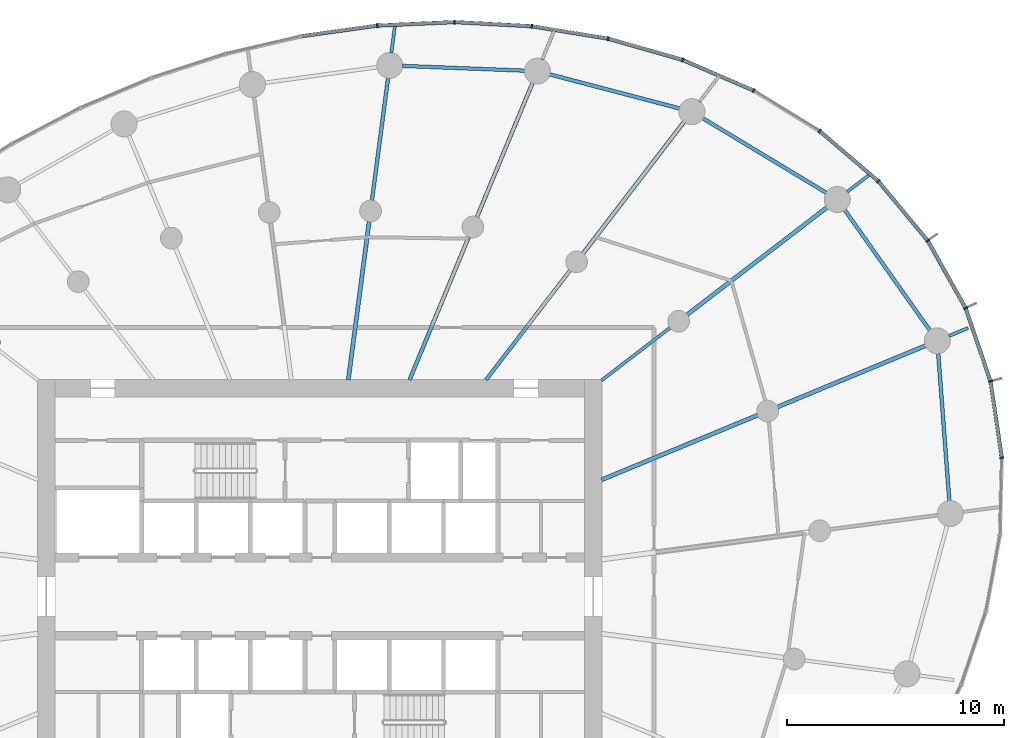
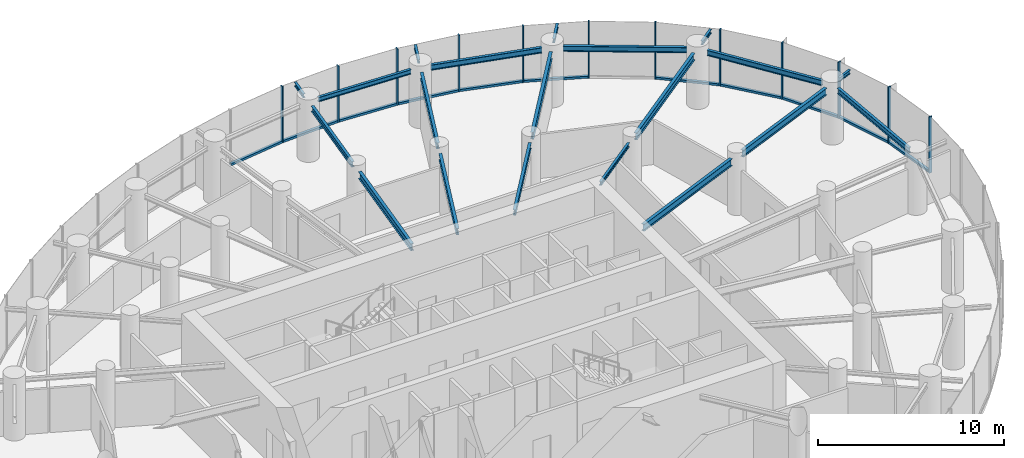
# One storey, part 7 of 17: 23 members, 20 beams, 3 elements without a shape of their own.
"""IFC4 building model written with IfcOpenShell, lengths in metres."""

from ifc_helpers import new_model, si_unit, direction, frame, origin, origin_2d, place, context, subcontext, project, spatial, rectangle, i_section, extrude, source, transform, mapped, material, layer, layer_set, material_profile, profile_set, type_object, element, aggregate, save


model = new_model("IFC4")

# Units and contexts
model_context = context("Model", 3, precision=1e-05, world=origin(), true_north=direction((0.0, 1.0)))
body_context = subcontext(model_context, "Body", "Model", "MODEL_VIEW")
ifc_project = project(units=[si_unit("LENGTHUNIT", "METRE"), si_unit("AREAUNIT", "SQUARE_METRE"), si_unit("VOLUMEUNIT", "CUBIC_METRE"), si_unit("PLANEANGLEUNIT", "RADIAN"), si_unit("MASSUNIT", "GRAM", prefix="KILO")], contexts=[model_context])

# Site, building, storey
site_placement = place(None, origin())
site = spatial("IfcSite", under=ifc_project, at=site_placement, CompositionType="ELEMENT")
building_placement = place(site_placement, origin())
building = spatial("IfcBuilding", under=site, at=building_placement, Name="Spindrift Exchange Tower", CompositionType="ELEMENT")
storey_placement = place(building_placement, frame((0.0, 0.0, 92.10009765625)))
storey = spatial("IfcBuildingStorey", under=building, at=storey_placement, Name="L21", CompositionType="ELEMENT", Elevation=92.10009765625)

# Beams
ifc_material_1 = material(Name="Steel Grade 300", Category="steel")
ifc_material_profile_1 = material_profile(ifc_material_1, i_section(OverallWidth=0.18994140625, OverallDepth=0.45703125, WebThickness=0.009033203125, FlangeThickness=0.014404296875, FilletRadius=0.013916015625, at=origin_2d()), Name="460UB74.6")
ifc_profile_set_1 = profile_set([ifc_material_profile_1], Name="Steel Grade 300")
beam_type_1 = type_object("IfcBeamType", Name="Floor Beam 460UB74.6 Steel Grade 300", PredefinedType="BEAM", material=ifc_profile_set_1)
shared_shape_1 = source(origin(), body_context, "Body", "SweptSolid", [
    extrude(i_section(OverallWidth=0.18994140625, OverallDepth=0.45703125, WebThickness=0.009033203125, FlangeThickness=0.014404296875, FilletRadius=0.013916015625, at=origin_2d()), origin(), (0.0, 0.0, 1.0), 7.808837890625),
])
beam_1_placement = place(storey_placement, frame((64.9814453125, 53.377197265625, 3.471435546875), z_axis=(0.92387965154, 0.382683145003, 0.0), x_axis=(-0.382683145003, 0.92387965154, 0.0)))
element("IfcBeam", 1, at=beam_1_placement, inside=storey, type_object=beam_type_1, Name="L21 radial beam R02A", PredefinedType="BEAM", context=body_context, shape_type="MappedRepresentation", body=[
    mapped(shared_shape_1, transform((0.0, 0.0, 0.0), scale=1.0)),
])
ifc_material_profile_2 = material_profile(ifc_material_1, i_section(OverallWidth=0.14599609375, OverallDepth=0.251953125, WebThickness=0.006103515625, FlangeThickness=0.008544921875, FilletRadius=0.011962890625, at=origin_2d()), Name="250UB31.4")
ifc_profile_set_2 = profile_set([ifc_material_profile_2], Name="Steel Grade 300")
beam_type_2 = type_object("IfcBeamType", Name="Floor Beam 250UB31.4 Steel Grade 300", PredefinedType="BEAM", material=ifc_profile_set_2)
shared_shape_2 = source(origin(), body_context, "Body", "SweptSolid", [
    extrude(i_section(OverallWidth=0.14599609375, OverallDepth=0.251953125, WebThickness=0.006103515625, FlangeThickness=0.008544921875, FilletRadius=0.011962890625, at=origin_2d()), origin(), (0.0, 0.0, 1.0), 3.99560546875),
])
beam_2_placement = place(storey_placement, frame((64.984130859375, 57.963134765625, 3.573974609375), z_axis=(0.793352561574, 0.608762443851, 0.0), x_axis=(-0.608762443851, 0.793352561574, 0.0)))
element("IfcBeam", 2, at=beam_2_placement, inside=storey, type_object=beam_type_2, Name="L21 radial beam R03A", PredefinedType="BEAM", context=body_context, shape_type="MappedRepresentation", body=[
    mapped(shared_shape_2, transform((0.0, 0.0, 0.0), scale=1.0)),
])
ifc_material_profile_3 = material_profile(ifc_material_1, i_section(OverallWidth=0.172119140625, OverallDepth=0.35888671875, WebThickness=0.008056640625, FlangeThickness=0.012939453125, FilletRadius=0.013916015625, at=origin_2d()), Name="360UB56.7")
ifc_profile_set_3 = profile_set([ifc_material_profile_3], Name="Steel Grade 300")
beam_type_3 = type_object("IfcBeamType", Name="Floor Beam 360UB56.7 Steel Grade 300", PredefinedType="BEAM", material=ifc_profile_set_3)
shared_shape_3 = source(origin(), body_context, "Body", "SweptSolid", [
    extrude(i_section(OverallWidth=0.172119140625, OverallDepth=0.35888671875, WebThickness=0.008056640625, FlangeThickness=0.012939453125, FilletRadius=0.013916015625, at=origin_2d()), origin(), (0.0, 0.0, 1.0), 6.37646484375),
])
beam_3_placement = place(storey_placement, frame((59.6611328125, 57.984130859375, 3.5205078125), z_axis=(0.608766669952, 0.793349318747, 0.0), x_axis=(-0.793349318747, 0.608766669952, 0.0)))
element("IfcBeam", 3, at=beam_3_placement, inside=storey, type_object=beam_type_3, Name="L21 radial beam R04A", PredefinedType="BEAM", context=body_context, shape_type="MappedRepresentation", body=[
    mapped(shared_shape_3, transform((0.0, 0.0, 0.0), scale=1.0)),
])
ifc_material_profile_4 = material_profile(ifc_material_1, i_section(OverallWidth=0.177978515625, OverallDepth=0.406005859375, WebThickness=0.0078125, FlangeThickness=0.0126953125, FilletRadius=0.013916015625, at=origin_2d()), Name="410UB59.7")
ifc_profile_set_4 = profile_set([ifc_material_profile_4], Name="Steel Grade 300")
beam_type_4 = type_object("IfcBeamType", Name="Floor Beam 410UB59.7 Steel Grade 300", PredefinedType="BEAM", material=ifc_profile_set_4)
shared_shape_4 = source(origin(), body_context, "Body", "SweptSolid", [
    extrude(i_section(OverallWidth=0.177978515625, OverallDepth=0.406005859375, WebThickness=0.0078125, FlangeThickness=0.0126953125, FilletRadius=0.013916015625, at=origin_2d()), origin(), (0.0, 0.0, 1.0), 7.150634765625),
])
beam_4_placement = place(storey_placement, frame((56.134521484375, 57.9814453125, 3.496826171875), z_axis=(0.382665393358, 0.923887004306, 0.0), x_axis=(-0.923887004306, 0.382665393358, 0.0)))
element("IfcBeam", 4, at=beam_4_placement, inside=storey, type_object=beam_type_4, Name="L21 radial beam R05A", PredefinedType="BEAM", context=body_context, shape_type="MappedRepresentation", body=[
    mapped(shared_shape_4, transform((0.0, 0.0, 0.0), scale=1.0)),
])
shared_shape_5 = source(origin(), body_context, "Body", "SweptSolid", [
    extrude(i_section(OverallWidth=0.18994140625, OverallDepth=0.45703125, WebThickness=0.009033203125, FlangeThickness=0.014404296875, FilletRadius=0.013916015625, at=origin_2d()), origin(), (0.0, 0.0, 1.0), 7.374267578125),
])
beam_5_placement = place(storey_placement, frame((53.31396484375, 57.980224609375, 3.471435546875), z_axis=(0.130539295622, 0.99144313619, 0.0), x_axis=(-0.99144313619, 0.130539295622, 0.0)))
element("IfcBeam", 5, at=beam_5_placement, inside=storey, type_object=beam_type_1, Name="L21 radial beam R06A", PredefinedType="BEAM", context=body_context, shape_type="MappedRepresentation", body=[
    mapped(shared_shape_5, transform((0.0, 0.0, 0.0), scale=1.0)),
])
shared_shape_6 = source(origin(), body_context, "Body", "SweptSolid", [
    extrude(i_section(OverallWidth=0.18994140625, OverallDepth=0.45703125, WebThickness=0.009033203125, FlangeThickness=0.014404296875, FilletRadius=0.013916015625, at=origin_2d()), origin(), (0.0, 0.0, 1.0), 7.400146484375),
])
beam_6_placement = place(storey_placement, frame((73.082763671875, 56.73291015625, 3.471435546875), z_axis=(0.923886957755, 0.382665505749, 0.0), x_axis=(-0.382665505749, 0.923886957755, 0.0)))
element("IfcBeam", 6, at=beam_6_placement, inside=storey, type_object=beam_type_1, Name="L21 radial beam R02B", PredefinedType="BEAM", context=body_context, shape_type="MappedRepresentation", body=[
    mapped(shared_shape_6, transform((0.0, 0.0, 0.0), scale=1.0)),
])
shared_shape_7 = source(origin(), body_context, "Body", "SweptSolid", [
    extrude(i_section(OverallWidth=0.18994140625, OverallDepth=0.45703125, WebThickness=0.009033203125, FlangeThickness=0.014404296875, FilletRadius=0.013916015625, at=origin_2d()), origin(), (0.0, 0.0, 1.0), 8.158447265625),
])
beam_7_placement = place(storey_placement, frame((68.91552734375, 60.979736328125, 3.471435546875), z_axis=(0.793358732539, 0.608754401631, 0.0), x_axis=(-0.608754401631, 0.793358732539, 0.0)))
element("IfcBeam", 7, at=beam_7_placement, inside=storey, type_object=beam_type_1, Name="L21 radial beam R03B", PredefinedType="BEAM", context=body_context, shape_type="MappedRepresentation", body=[
    mapped(shared_shape_7, transform((0.0, 0.0, 0.0), scale=1.0)),
])
shared_shape_8 = source(origin(), body_context, "Body", "SweptSolid", [
    extrude(i_section(OverallWidth=0.18994140625, OverallDepth=0.45703125, WebThickness=0.009033203125, FlangeThickness=0.014404296875, FilletRadius=0.013916015625, at=origin_2d()), origin(), (0.0, 0.0, 1.0), 7.663818359375),
])
beam_8_placement = place(storey_placement, frame((64.127197265625, 63.8046875, 3.471435546875), z_axis=(0.608771227503, 0.793345821546, 0.0), x_axis=(-0.793345821546, 0.608771227503, 0.0)))
element("IfcBeam", 8, at=beam_8_placement, inside=storey, type_object=beam_type_1, Name="L21 radial beam R04B", PredefinedType="BEAM", context=body_context, shape_type="MappedRepresentation", body=[
    mapped(shared_shape_8, transform((0.0, 0.0, 0.0), scale=1.0)),
])
shared_shape_9 = source(origin(), body_context, "Body", "SweptSolid", [
    extrude(i_section(OverallWidth=0.177978515625, OverallDepth=0.406005859375, WebThickness=0.0078125, FlangeThickness=0.0126953125, FilletRadius=0.013916015625, at=origin_2d()), origin(), (0.0, 0.0, 1.0), 6.71240234375),
])
beam_9_placement = place(storey_placement, frame((59.23828125, 65.474853515625, 3.496826171875), z_axis=(0.382669812754, 0.923885173821, 0.0), x_axis=(-0.923885173821, 0.382669812754, 0.0)))
element("IfcBeam", 9, at=beam_9_placement, inside=storey, type_object=beam_type_4, Name="L21 radial beam R05B", PredefinedType="BEAM", context=body_context, shape_type="MappedRepresentation", body=[
    mapped(shared_shape_9, transform((0.0, 0.0, 0.0), scale=1.0)),
])
shared_shape_10 = source(origin(), body_context, "Body", "SweptSolid", [
    extrude(i_section(OverallWidth=0.172119140625, OverallDepth=0.35888671875, WebThickness=0.008056640625, FlangeThickness=0.012939453125, FilletRadius=0.013916015625, at=origin_2d()), origin(), (0.0, 0.0, 1.0), 5.70751953125),
])
beam_10_placement = place(storey_placement, frame((54.40185546875, 66.2431640625, 3.5205078125), z_axis=(0.130507624881, 0.991447305634, 0.0), x_axis=(-0.991447305634, 0.130507624881, 0.0)))
element("IfcBeam", 10, at=beam_10_placement, inside=storey, type_object=beam_type_3, Name="L21 radial beam R06B", PredefinedType="BEAM", context=body_context, shape_type="MappedRepresentation", body=[
    mapped(shared_shape_10, transform((0.0, 0.0, 0.0), scale=1.0)),
])
ifc_material_profile_5 = material_profile(ifc_material_1, i_section(OverallWidth=0.172119140625, OverallDepth=0.35888671875, WebThickness=0.008056640625, FlangeThickness=0.012939453125, FilletRadius=0.013916015625, at=origin_2d()), Name="360UB56.7")
ifc_profile_set_5 = profile_set([ifc_material_profile_5], Name="Steel Grade 300")
beam_type_5 = type_object("IfcBeamType", Name="Edge Beam 360UB56.7 Steel Grade 300", PredefinedType="SPANDREL", material=ifc_profile_set_5)
shared_shape_11 = source(origin(), body_context, "Body", "SweptSolid", [
    extrude(i_section(OverallWidth=0.172119140625, OverallDepth=0.35888671875, WebThickness=0.008056640625, FlangeThickness=0.012939453125, FilletRadius=0.013916015625, at=origin_2d()), origin(), (0.0, 0.0, 1.0), 6.82373046875),
])
beam_11_placement = place(storey_placement, frame((81.0126953125, 52.40380859375, 3.5205078125), z_axis=(-0.075276463877, 0.997162701863, 0.0), x_axis=(-0.997162701863, -0.075276463877, 0.0)))
element("IfcBeam", 11, at=beam_11_placement, inside=storey, type_object=beam_type_5, Name="L21 edge beam E01", PredefinedType="SPANDREL", context=body_context, shape_type="MappedRepresentation", body=[
    mapped(shared_shape_11, transform((0.0, 0.0, 0.0), scale=1.0)),
])
shared_shape_12 = source(origin(), body_context, "Body", "SweptSolid", [
    extrude(i_section(OverallWidth=0.172119140625, OverallDepth=0.35888671875, WebThickness=0.008056640625, FlangeThickness=0.012939453125, FilletRadius=0.013916015625, at=origin_2d()), origin(), (0.0, 0.0, 1.0), 6.81787109375),
])
beam_12_placement = place(storey_placement, frame((80.12060546875, 60.260009765625, 3.5205078125), z_axis=(-0.577526426198, 0.816371990604, 0.0), x_axis=(-0.816371990604, -0.577526426198, 0.0)))
element("IfcBeam", 12, at=beam_12_placement, inside=storey, type_object=beam_type_5, Name="L21 edge beam E02", PredefinedType="SPANDREL", context=body_context, shape_type="MappedRepresentation", body=[
    mapped(shared_shape_12, transform((0.0, 0.0, 0.0), scale=1.0)),
])
shared_shape_13 = source(origin(), body_context, "Body", "SweptSolid", [
    extrude(i_section(OverallWidth=0.172119140625, OverallDepth=0.35888671875, WebThickness=0.008056640625, FlangeThickness=0.012939453125, FilletRadius=0.013916015625, at=origin_2d()), origin(), (0.0, 0.0, 1.0), 6.668701171875),
])
beam_13_placement = place(storey_placement, frame((75.3515625, 66.59912109375, 3.5205078125), z_axis=(-0.856133207479, 0.516755194508, 0.0), x_axis=(-0.516755194508, -0.856133207479, 0.0)))
element("IfcBeam", 13, at=beam_13_placement, inside=storey, type_object=beam_type_5, Name="L21 edge beam E03", PredefinedType="SPANDREL", context=body_context, shape_type="MappedRepresentation", body=[
    mapped(shared_shape_13, transform((0.0, 0.0, 0.0), scale=1.0)),
])
shared_shape_14 = source(origin(), body_context, "Body", "SweptSolid", [
    extrude(i_section(OverallWidth=0.172119140625, OverallDepth=0.35888671875, WebThickness=0.008056640625, FlangeThickness=0.012939453125, FilletRadius=0.013916015625, at=origin_2d()), origin(), (0.0, 0.0, 1.0), 6.197509765625),
])
beam_14_placement = place(storey_placement, frame((68.584716796875, 70.491943359375, 3.5205078125), z_axis=(-0.967254420813, 0.253808757567, 0.0), x_axis=(-0.253808757567, -0.967254420813, 0.0)))
element("IfcBeam", 14, at=beam_14_placement, inside=storey, type_object=beam_type_5, Name="L21 edge beam E04", PredefinedType="SPANDREL", context=body_context, shape_type="MappedRepresentation", body=[
    mapped(shared_shape_14, transform((0.0, 0.0, 0.0), scale=1.0)),
])
ifc_material_profile_6 = material_profile(ifc_material_1, i_section(OverallWidth=0.1650390625, OverallDepth=0.303955078125, WebThickness=0.006103515625, FlangeThickness=0.01025390625, FilletRadius=0.011474609375, at=origin_2d()), Name="310UB40.4")
ifc_profile_set_6 = profile_set([ifc_material_profile_6], Name="Steel Grade 300")
beam_type_6 = type_object("IfcBeamType", Name="Edge Beam 310UB40.4 Steel Grade 300", PredefinedType="SPANDREL", material=ifc_profile_set_6)
shared_shape_15 = source(origin(), body_context, "Body", "SweptSolid", [
    extrude(i_section(OverallWidth=0.1650390625, OverallDepth=0.303955078125, WebThickness=0.006103515625, FlangeThickness=0.01025390625, FilletRadius=0.011474609375, at=origin_2d()), origin(), (0.0, 0.0, 1.0), 5.65185546875),
])
beam_15_placement = place(storey_placement, frame((61.449462890625, 72.234619140625, 3.5478515625), z_axis=(-0.99924397539, 0.038877726865, 0.0), x_axis=(-0.038877726865, -0.99924397539, 0.0)))
element("IfcBeam", 15, at=beam_15_placement, inside=storey, type_object=beam_type_6, Name="L21 edge beam E05", PredefinedType="SPANDREL", context=body_context, shape_type="MappedRepresentation", body=[
    mapped(shared_shape_15, transform((0.0, 0.0, 0.0), scale=1.0)),
])
ifc_material_profile_7 = material_profile(ifc_material_1, i_section(OverallWidth=0.14599609375, OverallDepth=0.251953125, WebThickness=0.006103515625, FlangeThickness=0.008544921875, FilletRadius=0.011962890625, at=origin_2d()), Name="250UB31.4")
ifc_profile_set_7 = profile_set([ifc_material_profile_7], Name="Steel Grade 300")
beam_type_7 = type_object("IfcBeamType", Name="Cantilever Beam 250UB31.4 Steel Grade 300", PredefinedType="BEAM", material=ifc_profile_set_7)
shared_shape_16 = source(origin(), body_context, "Body", "SweptSolid", [
    extrude(i_section(OverallWidth=0.14599609375, OverallDepth=0.251953125, WebThickness=0.006103515625, FlangeThickness=0.008544921875, FilletRadius=0.011962890625, at=origin_2d()), origin(), (0.0, 0.0, 1.0), 0.95751953125),
])
beam_16_placement = place(storey_placement, frame((80.9912109375, 60.008544921875, 3.573974609375), z_axis=(0.923852099304, 0.382749655273, 0.0), x_axis=(-0.382749655273, 0.923852099304, 0.0)))
element("IfcBeam", 16, at=beam_16_placement, inside=storey, type_object=beam_type_7, Name="L21 cantilever beam R02T", PredefinedType="BEAM", context=body_context, shape_type="MappedRepresentation", body=[
    mapped(shared_shape_16, transform((0.0, 0.0, 0.0), scale=1.0)),
])
shared_shape_17 = source(origin(), body_context, "Body", "SweptSolid", [
    extrude(i_section(OverallWidth=0.14599609375, OverallDepth=0.251953125, WebThickness=0.006103515625, FlangeThickness=0.008544921875, FilletRadius=0.011962890625, at=origin_2d()), origin(), (0.0, 0.0, 1.0), 1.243896484375),
])
beam_17_placement = place(storey_placement, frame((76.308349609375, 66.652587890625, 3.573974609375), z_axis=(0.793404120927, 0.60869524468, 0.0), x_axis=(-0.60869524468, 0.793404120927, 0.0)))
element("IfcBeam", 17, at=beam_17_placement, inside=storey, type_object=beam_type_7, Name="L21 cantilever beam R03T", PredefinedType="BEAM", context=body_context, shape_type="MappedRepresentation", body=[
    mapped(shared_shape_17, transform((0.0, 0.0, 0.0), scale=1.0)),
])
shared_shape_18 = source(origin(), body_context, "Body", "SweptSolid", [
    extrude(i_section(OverallWidth=0.14599609375, OverallDepth=0.251953125, WebThickness=0.006103515625, FlangeThickness=0.008544921875, FilletRadius=0.011962890625, at=origin_2d()), origin(), (0.0, 0.0, 1.0), 1.513916015625),
])
beam_18_placement = place(storey_placement, frame((69.498779296875, 70.804931640625, 3.573974609375), z_axis=(0.60873617864, 0.793372714942, 0.0), x_axis=(-0.793372714942, 0.60873617864, 0.0)))
element("IfcBeam", 18, at=beam_18_placement, inside=storey, type_object=beam_type_7, Name="L21 cantilever beam R04T", PredefinedType="BEAM", context=body_context, shape_type="MappedRepresentation", body=[
    mapped(shared_shape_18, transform((0.0, 0.0, 0.0), scale=1.0)),
])
shared_shape_19 = source(origin(), body_context, "Body", "SweptSolid", [
    extrude(i_section(OverallWidth=0.14599609375, OverallDepth=0.251953125, WebThickness=0.006103515625, FlangeThickness=0.008544921875, FilletRadius=0.011962890625, at=origin_2d()), origin(), (0.0, 0.0, 1.0), 1.463623046875),
])
beam_19_placement = place(storey_placement, frame((62.2509765625, 72.748046875, 3.573974609375), z_axis=(0.382636602679, 0.923898928612, 0.0), x_axis=(-0.923898928612, 0.382636602679, 0.0)))
element("IfcBeam", 19, at=beam_19_placement, inside=storey, type_object=beam_type_7, Name="L21 cantilever beam R05T", PredefinedType="BEAM", context=body_context, shape_type="MappedRepresentation", body=[
    mapped(shared_shape_19, transform((0.0, 0.0, 0.0), scale=1.0)),
])
shared_shape_20 = source(origin(), body_context, "Body", "SweptSolid", [
    extrude(i_section(OverallWidth=0.14599609375, OverallDepth=0.251953125, WebThickness=0.006103515625, FlangeThickness=0.008544921875, FilletRadius=0.011962890625, at=origin_2d()), origin(), (0.0, 0.0, 1.0), 1.239501953125),
])
beam_20_placement = place(storey_placement, frame((55.298095703125, 73.0517578125, 3.573974609375), z_axis=(0.130576783147, 0.991438199639, 0.0), x_axis=(-0.991438199639, 0.130576783147, 0.0)))
element("IfcBeam", 20, at=beam_20_placement, inside=storey, type_object=beam_type_7, Name="L21 cantilever beam R06T", PredefinedType="BEAM", context=body_context, shape_type="MappedRepresentation", body=[
    mapped(shared_shape_20, transform((0.0, 0.0, 0.0), scale=1.0)),
])

# Curtain wall, members
ifc_material_2 = material(Name="Fritted laminated glass with bronze frame", Category="glass")
ifc_layer = layer(ifc_material_2, 0.18994140625)
ifc_layer_set = layer_set([ifc_layer], Name="ZONE 2 BRONZE FRITTED WALL")
curtain_wall_type = type_object("IfcCurtainWallType", Name="ZONE 2 BRONZE FRITTED WALL", PredefinedType="NOTDEFINED", material=ifc_layer_set)
curtain_wall_1_placement = place(storey_placement, origin())
curtain_wall_1 = element("IfcCurtainWall", 21, at=curtain_wall_1_placement, inside=storey, type_object=curtain_wall_type, Name="L21 Zone 2 Bronze Fritted Wall run 1", PredefinedType="NOTDEFINED")
ifc_material_3 = material(Name="Bronze anodised aluminium", Category="aluminium")
ifc_material_profile_8 = material_profile(ifc_material_3, rectangle(XDim=0.074951171875, YDim=0.18994140625, at=origin_2d()), Name="ZONE 2 BRONZE FRITTED WALL MULLION 75X190")
ifc_profile_set_8 = profile_set([ifc_material_profile_8], Name="Bronze anodised aluminium")
member_type_1 = type_object("IfcMemberType", Name="ZONE 2 BRONZE FRITTED WALL MULLION 75X190", PredefinedType="MULLION", material=ifc_profile_set_8)
shared_shape_21 = source(origin(), body_context, "Body", "SweptSolid", [
    extrude(rectangle(XDim=0.074951171875, YDim=0.18994140625, at=origin_2d()), origin(), (0.0, 0.0, 1.0), 3.699951171875),
])
member_1_placement = place(storey_placement, frame((81.76318359375, 61.294677734375, 0.0), z_axis=(0.0, 0.0, 1.0), x_axis=(-0.407851050657, 0.913048476521, 0.0)))
member_1 = element("IfcMember", 22, at=member_1_placement, type_object=member_type_1, Name="L21 mullion CW-2.1", PredefinedType="MULLION", context=body_context, shape_type="MappedRepresentation", body=[
    mapped(shared_shape_21, transform((0.0, 0.0, 0.0), scale=1.0)),
])
member_2_placement = place(storey_placement, frame((80.016845703125, 64.400146484375, 0.0), z_axis=(0.0, 0.0, 1.0), x_axis=(-0.566776473691, 0.823871609458, 0.0)))
member_2 = element("IfcMember", 23, at=member_2_placement, type_object=member_type_1, Name="L21 mullion CW-2.2", PredefinedType="MULLION", context=body_context, shape_type="MappedRepresentation", body=[
    mapped(shared_shape_21, transform((0.0, 0.0, 0.0), scale=1.0)),
])
member_3_placement = place(storey_placement, frame((77.740966796875, 67.1416015625, 0.0), z_axis=(0.0, 0.0, 1.0), x_axis=(-0.702062440454, 0.712115390722, 0.0)))
member_3 = element("IfcMember", 24, at=member_3_placement, type_object=member_type_1, Name="L21 mullion CW-2.3", PredefinedType="MULLION", context=body_context, shape_type="MappedRepresentation", body=[
    mapped(shared_shape_21, transform((0.0, 0.0, 0.0), scale=1.0)),
])
member_4_placement = place(storey_placement, frame((75.031494140625, 69.456787109375, 0.0), z_axis=(0.0, 0.0, 1.0), x_axis=(-0.808911264891, 0.587930748926, 0.0)))
member_4 = element("IfcMember", 25, at=member_4_placement, type_object=member_type_1, Name="L21 mullion CW-2.4", PredefinedType="MULLION", context=body_context, shape_type="MappedRepresentation", body=[
    mapped(shared_shape_21, transform((0.0, 0.0, 0.0), scale=1.0)),
])
member_5_placement = place(storey_placement, frame((71.99267578125, 71.3193359375, 0.0), z_axis=(0.0, 0.0, 1.0), x_axis=(-0.887668438037, 0.460483163767, 0.0)))
member_5 = element("IfcMember", 26, at=member_5_placement, type_object=member_type_1, Name="L21 mullion CW-2.5", PredefinedType="MULLION", context=body_context, shape_type="MappedRepresentation", body=[
    mapped(shared_shape_21, transform((0.0, 0.0, 0.0), scale=1.0)),
])
member_6_placement = place(storey_placement, frame((68.718994140625, 72.731201171875, 0.0), z_axis=(0.0, 0.0, 1.0), x_axis=(-0.941842966685, 0.336053308428, 0.0)))
member_6 = element("IfcMember", 27, at=member_6_placement, type_object=member_type_1, Name="L21 mullion CW-2.6", PredefinedType="MULLION", context=body_context, shape_type="MappedRepresentation", body=[
    mapped(shared_shape_21, transform((0.0, 0.0, 0.0), scale=1.0)),
])

curtain_wall_2_placement = place(storey_placement, origin())
curtain_wall_2 = element("IfcCurtainWall", 28, at=curtain_wall_2_placement, inside=storey, type_object=curtain_wall_type, Name="L21 Zone 2 Bronze Fritted Wall run 2", PredefinedType="NOTDEFINED")
member_7_placement = place(storey_placement, frame((65.290771484375, 73.710693359375, 0.0), z_axis=(0.0, 0.0, 1.0), x_axis=(-0.975965603931, 0.217924619867, 0.0)))
member_7 = element("IfcMember", 29, at=member_7_placement, type_object=member_type_1, Name="L21 mullion CW-2.7", PredefinedType="MULLION", context=body_context, shape_type="MappedRepresentation", body=[
    mapped(shared_shape_21, transform((0.0, 0.0, 0.0), scale=1.0)),
])
member_8_placement = place(storey_placement, frame((61.77099609375, 74.28271484375, 0.0), z_axis=(0.0, 0.0, 1.0), x_axis=(-0.994227525219, 0.107292255532, 0.0)))
member_8 = element("IfcMember", 30, at=member_8_placement, type_object=member_type_1, Name="L21 mullion CW-2.8", PredefinedType="MULLION", context=body_context, shape_type="MappedRepresentation", body=[
    mapped(shared_shape_21, transform((0.0, 0.0, 0.0), scale=1.0)),
])
member_9_placement = place(storey_placement, frame((58.210205078125, 74.474609375, 0.0), z_axis=(0.0, 0.0, 1.0), x_axis=(-0.999991419034, 0.004142687404, 0.0)))
member_9 = element("IfcMember", 31, at=member_9_placement, type_object=member_type_1, Name="L21 mullion CW-2.9", PredefinedType="MULLION", context=body_context, shape_type="MappedRepresentation", body=[
    mapped(shared_shape_21, transform((0.0, 0.0, 0.0), scale=1.0)),
])
member_10_placement = place(storey_placement, frame((54.6474609375, 74.312255859375, 0.0), z_axis=(0.0, 0.0, 1.0), x_axis=(-0.995742366354, -0.092179931912, 0.0)))
member_10 = element("IfcMember", 32, at=member_10_placement, type_object=member_type_1, Name="L21 mullion CW-2.10", PredefinedType="MULLION", context=body_context, shape_type="MappedRepresentation", body=[
    mapped(shared_shape_21, transform((0.0, 0.0, 0.0), scale=1.0)),
])

curtain_wall_3_placement = place(storey_placement, origin())
curtain_wall_3 = element("IfcCurtainWall", 33, at=curtain_wall_3_placement, inside=storey, type_object=curtain_wall_type, Name="L21 Zone 2 Bronze Fritted Wall run 9", PredefinedType="NOTDEFINED")
member_11_placement = place(storey_placement, frame((83.43359375, 54.397216796875, 0.0), z_axis=(0.0, 0.0, 1.0), x_axis=(-0.061831622028, 0.998086594699, 0.0)))
member_11 = element("IfcMember", 34, at=member_11_placement, type_object=member_type_1, Name="L21 mullion CW-2.50", PredefinedType="MULLION", context=body_context, shape_type="MappedRepresentation", body=[
    mapped(shared_shape_21, transform((0.0, 0.0, 0.0), scale=1.0)),
])
member_12_placement = place(storey_placement, frame((82.91064453125, 57.921875, 0.0), z_axis=(0.0, 0.0, 1.0), x_axis=(-0.235364694341, 0.971907125531, 0.0)))
member_12 = element("IfcMember", 35, at=member_12_placement, type_object=member_type_1, Name="L21 mullion CW-2.51", PredefinedType="MULLION", context=body_context, shape_type="MappedRepresentation", body=[
    mapped(shared_shape_21, transform((0.0, 0.0, 0.0), scale=1.0)),
])

# Member
ifc_material_profile_9 = material_profile(ifc_material_3, rectangle(XDim=0.169921875, YDim=0.139892578125, at=origin_2d()), Name="ZONE 2 BRONZE FRITTED WALL TRANSOM 170X140")
ifc_profile_set_9 = profile_set([ifc_material_profile_9], Name="Bronze anodised aluminium")
member_type_2 = type_object("IfcMemberType", Name="ZONE 2 BRONZE FRITTED WALL TRANSOM 170X140", PredefinedType="USERDEFINED", material=ifc_profile_set_9)
shared_shape_22 = source(origin(), body_context, "Body", "SweptSolid", [
    extrude(rectangle(XDim=0.169921875, YDim=0.139892578125, at=origin_2d()), origin(), (0.0, 0.0, 1.0), 3.4912109375),
])
member_13_placement = place(storey_placement, frame((61.733642578125, 74.28466796875, 0.06982421875), z_axis=(-0.998549191972, 0.053847109589, 0.0), x_axis=(-0.053847109589, -0.998549191972, 0.0)))
member_13 = element("IfcMember", 36, at=member_13_placement, type_object=member_type_2, Name="L21 transom CW-2.8", ObjectType="TRANSOM", PredefinedType="USERDEFINED", context=body_context, shape_type="MappedRepresentation", body=[
    mapped(shared_shape_22, transform((0.0, 0.0, 0.0), scale=1.0)),
])

shared_shape_23 = source(origin(), body_context, "Body", "SweptSolid", [
    extrude(rectangle(XDim=0.169921875, YDim=0.139892578125, at=origin_2d()), origin(), (0.0, 0.0, 1.0), 3.49169921875),
])
member_14_placement = place(storey_placement, frame((54.6103515625, 74.306884765625, 0.06982421875), z_axis=(-0.990350961127, -0.138582011081, 0.0), x_axis=(0.138582011081, -0.990350961127, 0.0)))
member_14 = element("IfcMember", 37, at=member_14_placement, type_object=member_type_2, Name="L21 transom CW-2.10", ObjectType="TRANSOM", PredefinedType="USERDEFINED", context=body_context, shape_type="MappedRepresentation", body=[
    mapped(shared_shape_23, transform((0.0, 0.0, 0.0), scale=1.0)),
])

shared_shape_24 = source(origin(), body_context, "Body", "SweptSolid", [
    extrude(rectangle(XDim=0.169921875, YDim=0.139892578125, at=origin_2d()), origin(), (0.0, 0.0, 1.0), 3.490478515625),
])
member_15_placement = place(storey_placement, frame((68.68310546875, 72.74169921875, 0.06982421875), z_axis=(-0.961555615172, 0.274610267343, 0.0), x_axis=(-0.274610267343, -0.961555615172, 0.0)))
member_15 = element("IfcMember", 38, at=member_15_placement, type_object=member_type_2, Name="L21 transom CW-2.6", ObjectType="TRANSOM", PredefinedType="USERDEFINED", context=body_context, shape_type="MappedRepresentation", body=[
    mapped(shared_shape_24, transform((0.0, 0.0, 0.0), scale=1.0)),
])

shared_shape_25 = source(origin(), body_context, "Body", "SweptSolid", [
    extrude(rectangle(XDim=0.169921875, YDim=0.139892578125, at=origin_2d()), origin(), (0.0, 0.0, 1.0), 3.489013671875),
])
member_16_placement = place(storey_placement, frame((77.71240234375, 67.165771484375, 0.06982421875), z_axis=(-0.760223906671, 0.649661151467, 0.0), x_axis=(-0.649661151467, -0.760223906671, 0.0)))
member_16 = element("IfcMember", 39, at=member_16_placement, type_object=member_type_2, Name="L21 transom CW-2.3", ObjectType="TRANSOM", PredefinedType="USERDEFINED", context=body_context, shape_type="MappedRepresentation", body=[
    mapped(shared_shape_25, transform((0.0, 0.0, 0.0), scale=1.0)),
])

shared_shape_26 = source(origin(), body_context, "Body", "SweptSolid", [
    extrude(rectangle(XDim=0.169921875, YDim=0.139892578125, at=origin_2d()), origin(), (0.0, 0.0, 1.0), 3.48828125),
])
member_17_placement = place(storey_placement, frame((83.427978515625, 54.434326171875, 0.06982421875), z_axis=(-0.146700854257, 0.989180903253, 0.0), x_axis=(-0.989180903253, -0.146700854257, 0.0)))
member_17 = element("IfcMember", 40, at=member_17_placement, type_object=member_type_2, Name="L21 transom CW-2.50", ObjectType="TRANSOM", PredefinedType="USERDEFINED", context=body_context, shape_type="MappedRepresentation", body=[
    mapped(shared_shape_26, transform((0.0, 0.0, 0.0), scale=1.0)),
])

shared_shape_27 = source(origin(), body_context, "Body", "SweptSolid", [
    extrude(rectangle(XDim=0.169921875, YDim=0.139892578125, at=origin_2d()), origin(), (0.0, 0.0, 1.0), 3.48779296875),
])
member_18_placement = place(storey_placement, frame((81.744873046875, 61.327392578125, 0.06982421875), z_axis=(-0.490141590708, 0.871642828834, 0.0), x_axis=(-0.871642828834, -0.490141590708, 0.0)))
member_18 = element("IfcMember", 41, at=member_18_placement, type_object=member_type_2, Name="L21 transom CW-2.1", ObjectType="TRANSOM", PredefinedType="USERDEFINED", context=body_context, shape_type="MappedRepresentation", body=[
    mapped(shared_shape_27, transform((0.0, 0.0, 0.0), scale=1.0)),
])

member_19_placement = place(storey_placement, frame((82.898681640625, 57.957275390625, 0.06982421875), z_axis=(-0.322059590011, 0.946719399021, 0.0), x_axis=(-0.946719399021, -0.322059590011, 0.0)))
member_19 = element("IfcMember", 42, at=member_19_placement, type_object=member_type_2, Name="L21 transom CW-2.51", ObjectType="TRANSOM", PredefinedType="USERDEFINED", context=body_context, shape_type="MappedRepresentation", body=[
    mapped(shared_shape_27, transform((0.0, 0.0, 0.0), scale=1.0)),
])

aggregate(curtain_wall_3, [member_11, member_17, member_12, member_19])

shared_shape_28 = source(origin(), body_context, "Body", "SweptSolid", [
    extrude(rectangle(XDim=0.169921875, YDim=0.139892578125, at=origin_2d()), origin(), (0.0, 0.0, 1.0), 3.491455078125),
])
member_20_placement = place(storey_placement, frame((58.172607421875, 74.472900390625, 0.06982421875), z_axis=(-0.998963343298, -0.045521849117, 0.0), x_axis=(0.045521849117, -0.998963343298, 0.0)))
member_20 = element("IfcMember", 43, at=member_20_placement, type_object=member_type_2, Name="L21 transom CW-2.9", ObjectType="TRANSOM", PredefinedType="USERDEFINED", context=body_context, shape_type="MappedRepresentation", body=[
    mapped(shared_shape_28, transform((0.0, 0.0, 0.0), scale=1.0)),
])

shared_shape_29 = source(origin(), body_context, "Body", "SweptSolid", [
    extrude(rectangle(XDim=0.169921875, YDim=0.139892578125, at=origin_2d()), origin(), (0.0, 0.0, 1.0), 3.490966796875),
])
member_21_placement = place(storey_placement, frame((65.25390625, 73.716552734375, 0.06982421875), z_axis=(-0.987047474943, 0.160428433294, 0.0), x_axis=(-0.160428433294, -0.987047474943, 0.0)))
member_21 = element("IfcMember", 44, at=member_21_placement, type_object=member_type_2, Name="L21 transom CW-2.7", ObjectType="TRANSOM", PredefinedType="USERDEFINED", context=body_context, shape_type="MappedRepresentation", body=[
    mapped(shared_shape_29, transform((0.0, 0.0, 0.0), scale=1.0)),
])

aggregate(curtain_wall_2, [member_7, member_21, member_8, member_13, member_9, member_20, member_10, member_14])

shared_shape_30 = source(origin(), body_context, "Body", "SweptSolid", [
    extrude(rectangle(XDim=0.169921875, YDim=0.139892578125, at=origin_2d()), origin(), (0.0, 0.0, 1.0), 3.490234375),
])
member_22_placement = place(storey_placement, frame((71.958251953125, 71.334228515625, 0.06982421875), z_axis=(-0.918227174671, 0.39605410703, 0.0), x_axis=(-0.39605410703, -0.918227174671, 0.0)))
member_22 = element("IfcMember", 45, at=member_22_placement, type_object=member_type_2, Name="L21 transom CW-2.5", ObjectType="TRANSOM", PredefinedType="USERDEFINED", context=body_context, shape_type="MappedRepresentation", body=[
    mapped(shared_shape_30, transform((0.0, 0.0, 0.0), scale=1.0)),
])

shared_shape_31 = source(origin(), body_context, "Body", "SweptSolid", [
    extrude(rectangle(XDim=0.169921875, YDim=0.139892578125, at=origin_2d()), origin(), (0.0, 0.0, 1.0), 3.488037109375),
])
member_23_placement = place(storey_placement, frame((79.992919921875, 64.428955078125, 0.06982421875), z_axis=(-0.638778830115, 0.769390412078, 0.0), x_axis=(-0.769390412078, -0.638778830115, 0.0)))
member_23 = element("IfcMember", 46, at=member_23_placement, type_object=member_type_2, Name="L21 transom CW-2.2", ObjectType="TRANSOM", PredefinedType="USERDEFINED", context=body_context, shape_type="MappedRepresentation", body=[
    mapped(shared_shape_31, transform((0.0, 0.0, 0.0), scale=1.0)),
])

aggregate(curtain_wall_1, [member_1, member_18, member_2, member_23, member_3, member_16, member_4, member_5, member_22, member_6, member_15])

save(model, "model.ifc")
